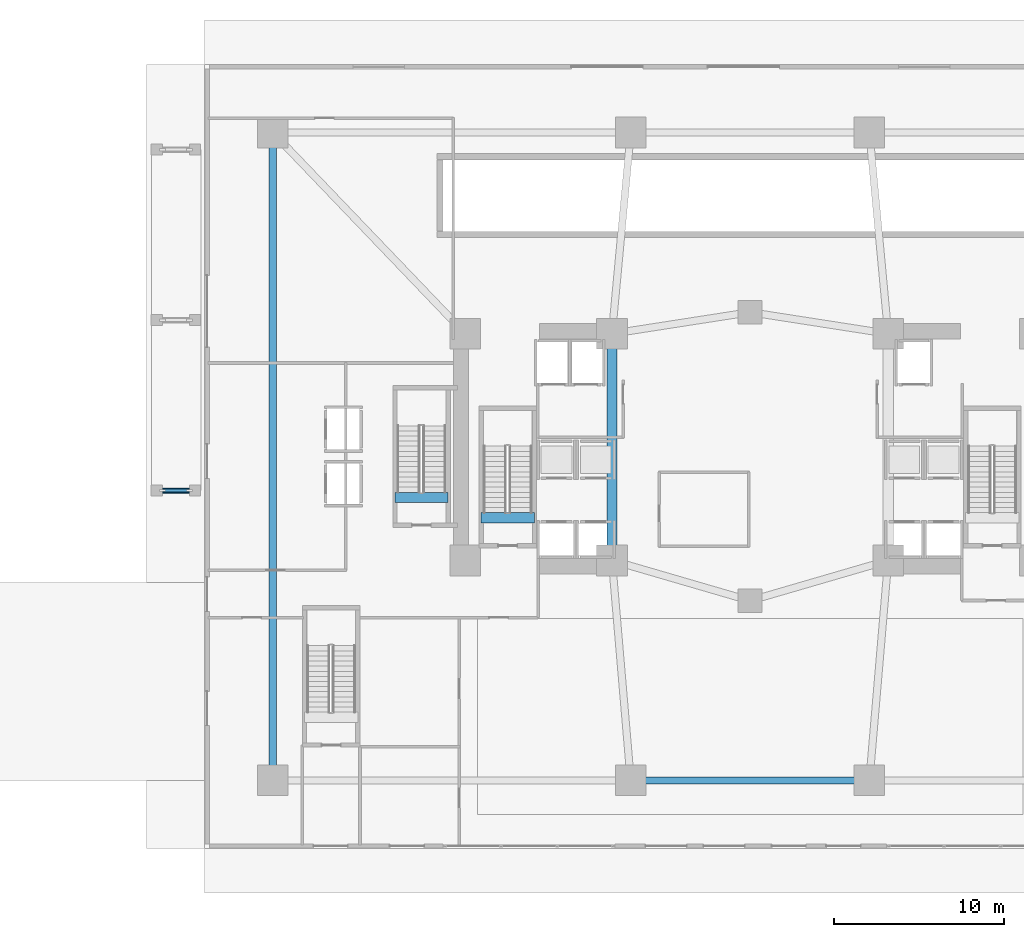
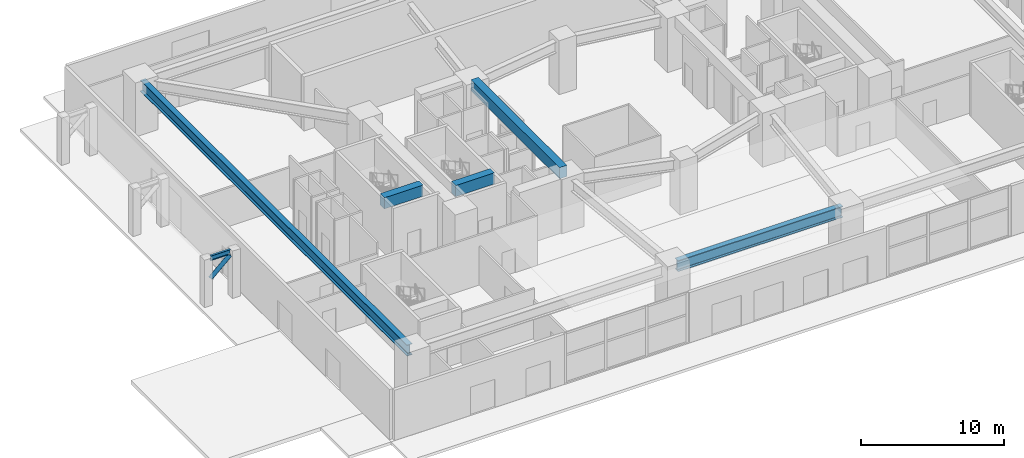
# One storey, part 5 of 18: 6 beams, 1 member.
"""IFC4 building model written with IfcOpenShell, lengths in metres."""

from ifc_helpers import new_model, si_unit, direction, frame, origin, origin_2d, place, context, subcontext, project, spatial, rectangle, hollow_circle, i_section, extrude, material, material_profile, profile_set, type_object, element, save


model = new_model("IFC4")

# Units and contexts
model_context = context("Model", 3, precision=1e-05, world=origin(), true_north=direction((0.0, 1.0)))
body_context = subcontext(model_context, "Body", "Model", "MODEL_VIEW")
ifc_project = project(units=[si_unit("LENGTHUNIT", "METRE"), si_unit("AREAUNIT", "SQUARE_METRE"), si_unit("VOLUMEUNIT", "CUBIC_METRE"), si_unit("PLANEANGLEUNIT", "RADIAN"), si_unit("MASSUNIT", "GRAM", prefix="KILO")], contexts=[model_context])

# Site, building, storey
site_placement = place(None, origin())
site = spatial("IfcSite", under=ifc_project, at=site_placement, CompositionType="ELEMENT")
building_placement = place(site_placement, origin())
building = spatial("IfcBuilding", under=site, at=building_placement, Name="Solvane Sanctuary Tower", CompositionType="ELEMENT")
storey_placement = place(building_placement, origin())
storey = spatial("IfcBuildingStorey", under=building, at=storey_placement, Name="L01", CompositionType="ELEMENT", Elevation=0.0)

# Beams
ifc_material_1 = material(Name="Concrete C70/85", Category="concrete")
ifc_material_profile_1 = material_profile(ifc_material_1, rectangle(XDim=0.60009765625, YDim=0.949951171875, at=origin_2d()), Name="RC600X950")
ifc_profile_set_1 = profile_set([ifc_material_profile_1], Name="Concrete C70/85")
beam_type_1 = type_object("IfcBeamType", Name="Beam B-COUPLE RC600X950", PredefinedType="LINTEL", material=ifc_profile_set_1)
beam_1_placement = place(storey_placement, frame((23.89990234375, 17.35009765625, 4.125), z_axis=(0.0, 1.0, 0.0), x_axis=(-1.0, 0.0, 0.0)))
element("IfcBeam", 1, at=beam_1_placement, inside=storey, type_object=beam_type_1, Name="L01 West Core Coupling Lintel", PredefinedType="LINTEL", context=body_context, shape_type="SweptSolid", body=[
    extrude(rectangle(XDim=0.60009765625, YDim=0.949951171875, at=origin_2d()), origin(), (0.0, 0.0, 1.0), 12.39990234375),
])
for number, where, z_axis, x_axis, name in (
    (2, (16.22998046875, 19.399169921875, 4.125), (1.0, 0.0, 0.0), (0.0, 1.0, 0.0), "L01 ST-1 Stair Floor Landing Trimmer"),
    (3, (11.169921875, 20.59912109375, 4.125), (1.0, 0.0, 0.0), (0.0, 1.0, 0.0), "L01 ST-3 Stair Floor Landing Trimmer"),
):
    element("IfcBeam", number, at=place(storey_placement, frame(where, z_axis=z_axis, x_axis=x_axis)), inside=storey, type_object=beam_type_1, Name=name, PredefinedType="LINTEL", context=body_context, shape_type="SweptSolid", body=[
        extrude(rectangle(XDim=0.60009765625, YDim=0.949951171875, at=origin_2d()), origin(), (0.0, 0.0, 1.0), 3.1201171875),
    ])
ifc_material_2 = material(Name="Steel ASTM A913 Grade 65", Category="steel")
ifc_material_profile_2 = material_profile(ifc_material_2, i_section(OverallWidth=0.423095703125, OverallDepth=0.947998046875, WebThickness=0.02392578125, FlangeThickness=0.042724609375, FilletRadius=0.02392578125, at=origin_2d()), Name="W36X302")
ifc_profile_set_2 = profile_set([ifc_material_profile_2], Name="Steel ASTM A913 Grade 65")
beam_type_2 = type_object("IfcBeamType", Name="Beam B-POD-GIRD W36X302", PredefinedType="BEAM", material=ifc_profile_set_2)
beam_2_placement = place(storey_placement, frame((25.35009765625, 4.0, 3.803955078125), z_axis=(1.0, 0.0, 0.0), x_axis=(0.0, 1.0, 0.0)))
element("IfcBeam", 4, at=beam_2_placement, inside=storey, type_object=beam_type_2, Name="L01 Podium Primary Girder PG2", PredefinedType="BEAM", context=body_context, shape_type="SweptSolid", body=[
    extrude(i_section(OverallWidth=0.423095703125, OverallDepth=0.947998046875, WebThickness=0.02392578125, FlangeThickness=0.042724609375, FilletRadius=0.02392578125, at=origin_2d()), origin(), (0.0, 0.0, 1.0), 13.2998046875),
])
beam_3_placement = place(storey_placement, frame((4.0, 41.64990234375, 3.803955078125), z_axis=(0.0, -1.0, 0.0), x_axis=(1.0, 0.0, 0.0)))
element("IfcBeam", 5, at=beam_3_placement, inside=storey, type_object=beam_type_2, Name="L01 Podium Primary Girder PG8", PredefinedType="BEAM", context=body_context, shape_type="SweptSolid", body=[
    extrude(i_section(OverallWidth=0.423095703125, OverallDepth=0.947998046875, WebThickness=0.02392578125, FlangeThickness=0.042724609375, FilletRadius=0.02392578125, at=origin_2d()), origin(), (0.0, 0.0, 1.0), 37.2998046875),
])
ifc_material_3 = material(Name="Steel ASTM A992 Grade 50", Category="steel")
ifc_material_profile_3 = material_profile(ifc_material_3, i_section(OverallWidth=0.180908203125, OverallDepth=0.4169921875, WebThickness=0.010986328125, FlangeThickness=0.018310546875, FilletRadius=0.012939453125, at=origin_2d()), Name="W16X57")
ifc_profile_set_3 = profile_set([ifc_material_profile_3], Name="Steel ASTM A992 Grade 50")
beam_type_3 = type_object("IfcBeamType", Name="Beam B-ROOF-BM W16X57", PredefinedType="BEAM", material=ifc_profile_set_3)
beam_4_placement = place(storey_placement, frame((-2.47998046875, 21.0, 3.83154296875), z_axis=(1.0, 0.0, 0.0), x_axis=(0.0, 1.0, 0.0)))
element("IfcBeam", 6, at=beam_4_placement, inside=storey, type_object=beam_type_3, Name="L01 Canopy Tie Beam W1", PredefinedType="BEAM", context=body_context, shape_type="SweptSolid", body=[
    extrude(i_section(OverallWidth=0.180908203125, OverallDepth=0.4169921875, WebThickness=0.010986328125, FlangeThickness=0.018310546875, FilletRadius=0.012939453125, at=origin_2d()), origin(), (0.0, 0.0, 1.0), 1.60986328125),
])

# Member
ifc_material_4 = material(Name="Steel ASTM A500 Grade C", Category="steel")
ifc_material_profile_4 = material_profile(ifc_material_4, hollow_circle(Radius=0.161865234375, WallThickness=0.010009765625, at=origin_2d()), Name="CHS323.9X10")
ifc_profile_set_4 = profile_set([ifc_material_profile_4], Name="Steel ASTM A500 Grade C")
member_type = type_object("IfcMemberType", Name="Member M-CANOPY-ST CHS323.9X10", PredefinedType="STRUT", material=ifc_profile_set_4)
member_placement = place(storey_placement, frame((-2.467529296875, 21.0, 2.10009765625), z_axis=(0.742196177403, 0.0, 0.670182687219), x_axis=(0.0, 1.0, 0.0)))
element("IfcMember", 7, at=member_placement, inside=storey, type_object=member_type, Name="L01 Canopy Raking Strut W1", PredefinedType="STRUT", context=body_context, shape_type="SweptSolid", body=[
    extrude(hollow_circle(Radius=0.161865234375, WallThickness=0.010009765625, at=origin_2d()), origin(), (0.0, 0.0, 1.0), 2.1357421875),
])

save(model, "model.ifc")
